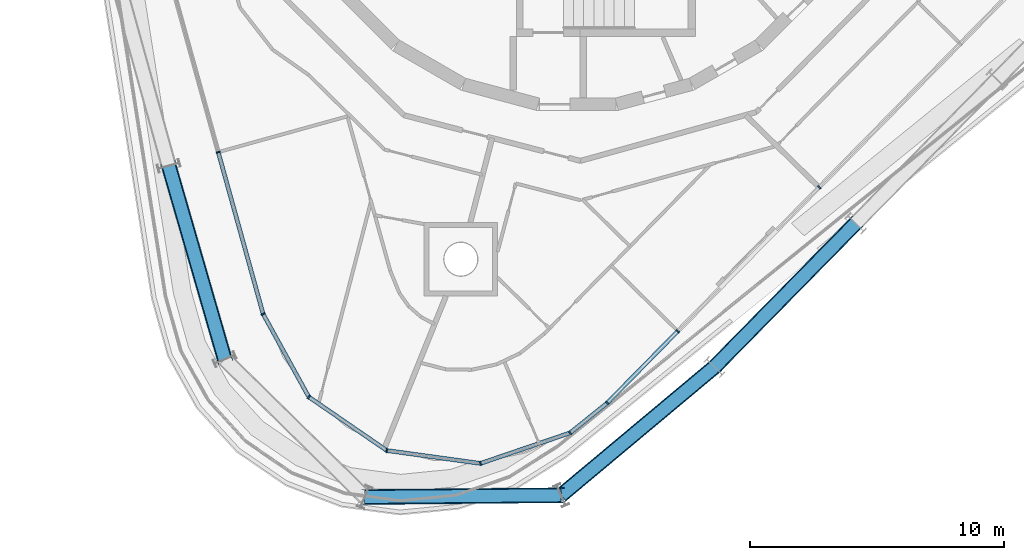
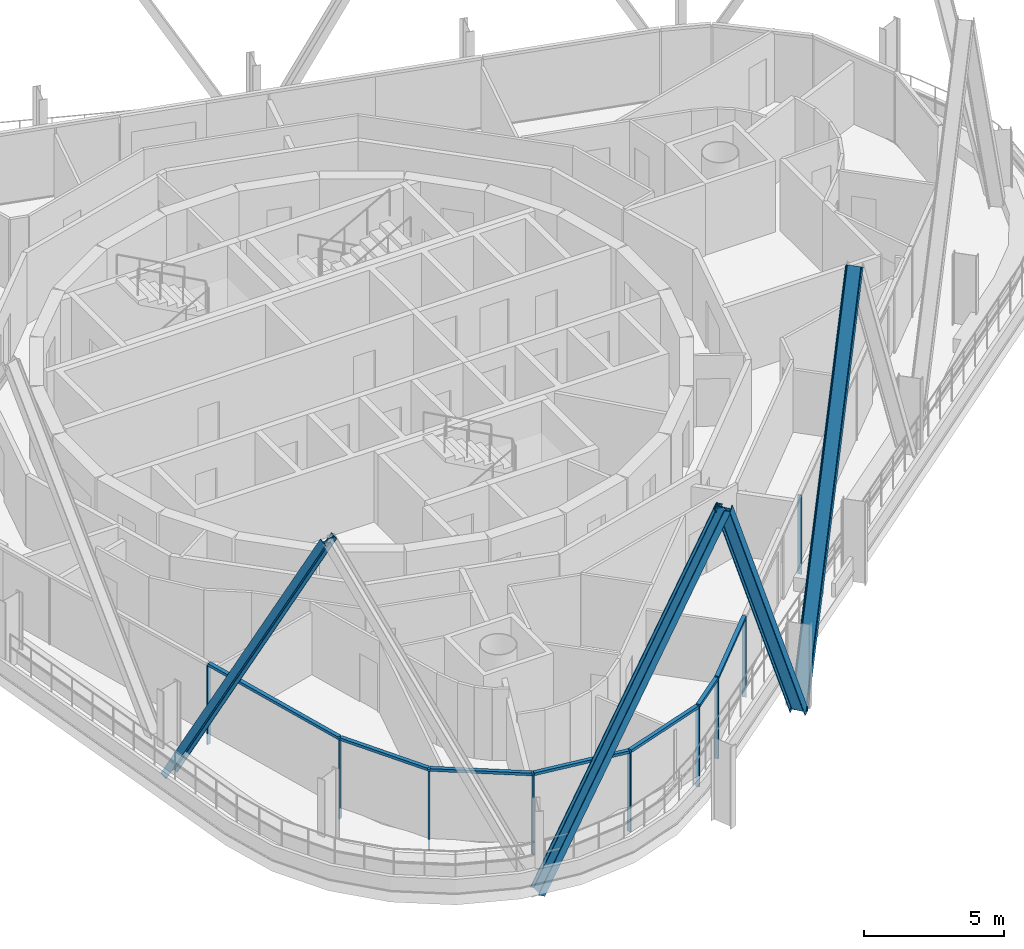
# One storey, part 2 of 18: 20 members, 2 elements without a shape of their own.
"""IFC4 building model written with IfcOpenShell, lengths in metres."""

from ifc_helpers import new_model, si_unit, direction, frame, origin, origin_2d, place, context, subcontext, project, spatial, rectangle, i_section, extrude, material, layer, layer_set, material_profile, profile_set, type_object, element, aggregate, save


model = new_model("IFC4")

# Units and contexts
model_context = context("Model", 3, precision=1e-05, world=origin(), true_north=direction((0.0, 1.0)))
body_context = subcontext(model_context, "Body", "Model", "MODEL_VIEW")
ifc_project = project(units=[si_unit("LENGTHUNIT", "METRE"), si_unit("AREAUNIT", "SQUARE_METRE"), si_unit("VOLUMEUNIT", "CUBIC_METRE"), si_unit("PLANEANGLEUNIT", "RADIAN"), si_unit("MASSUNIT", "GRAM", prefix="KILO")], contexts=[model_context])

# Site, building, storey
site_placement = place(None, origin())
site = spatial("IfcSite", under=ifc_project, at=site_placement, CompositionType="ELEMENT")
building_placement = place(site_placement, origin())
building = spatial("IfcBuilding", under=site, at=building_placement, Name="Spindle Arch Residences", CompositionType="ELEMENT")
storey_placement = place(building_placement, frame((0.0, 0.0, 298.199951171875)))
storey = spatial("IfcBuildingStorey", under=building, at=storey_placement, Name="L76", CompositionType="ELEMENT", Elevation=298.199951171875)

# Curtain wall, members
ifc_material_1 = material(Name="Aluminium bronze unitised frame with tinted glass", Category="aluminium")
ifc_layer_1 = layer(ifc_material_1, 0.159912109375)
ifc_layer_set_1 = layer_set([ifc_layer_1], Name="CW-D corner wall on the fillet arcs")
curtain_wall_type_1 = type_object("IfcCurtainWallType", Name="CW-D corner wall on the fillet arcs", PredefinedType="NOTDEFINED", material=ifc_layer_set_1)
curtain_wall_1_placement = place(storey_placement, origin())
curtain_wall_1 = element("IfcCurtainWall", 1, at=curtain_wall_1_placement, inside=storey, type_object=curtain_wall_type_1, Name="CW-D L76 run 5", PredefinedType="NOTDEFINED")
ifc_material_2 = material(Name="Aluminium bronze anodised mullion", Category="aluminium")
ifc_material_profile_1 = material_profile(ifc_material_2, rectangle(XDim=0.159912109375, YDim=0.06005859375, at=origin_2d()), Name="MU 60x160")
ifc_profile_set_1 = profile_set([ifc_material_profile_1], Name="Aluminium bronze anodised mullion")
member_type_1 = type_object("IfcMemberType", Name="Bronze mullion 60x160", PredefinedType="MULLION", material=ifc_profile_set_1)
member_1_placement = place(storey_placement, frame((-14.1435546875, -13.529296875, -0.449951171875), z_axis=(0.0, 0.0, 1.0), x_axis=(0.963630453209, 0.267238376078, 0.0)))
member_1 = element("IfcMember", 2, at=member_1_placement, type_object=member_type_1, Name="CW-D mullion 00", PredefinedType="MULLION", context=body_context, shape_type="SweptSolid", body=[
    extrude(rectangle(XDim=0.159912109375, YDim=0.06005859375, at=origin_2d()), origin(), (0.0, 0.0, 1.0), 3.449951171875),
])
member_2_placement = place(storey_placement, frame((-12.37548828125, -19.90478515625, -0.449951171875), z_axis=(0.0, 0.0, 1.0), x_axis=(0.876026260142, 0.482263404731, 0.0)))
member_2 = element("IfcMember", 3, at=member_2_placement, type_object=member_type_1, Name="CW-D mullion 01", PredefinedType="MULLION", context=body_context, shape_type="SweptSolid", body=[
    extrude(rectangle(XDim=0.159912109375, YDim=0.06005859375, at=origin_2d()), origin(), (0.0, 0.0, 1.0), 3.449951171875),
])
member_3_placement = place(storey_placement, frame((-10.578125, -23.16943359375, -0.449951171875), z_axis=(0.0, 0.0, 1.0), x_axis=(0.566406236997, 0.824126188573, 0.0)))
member_3 = element("IfcMember", 4, at=member_3_placement, type_object=member_type_1, Name="CW-D mullion 02", PredefinedType="MULLION", context=body_context, shape_type="SweptSolid", body=[
    extrude(rectangle(XDim=0.159912109375, YDim=0.06005859375, at=origin_2d()), origin(), (0.0, 0.0, 1.0), 3.449951171875),
])
member_4_placement = place(storey_placement, frame((-7.5068359375, -25.2802734375, -0.449951171875), z_axis=(0.0, 0.0, 1.0), x_axis=(0.136291936259, 0.99066871764, 0.0)))
member_4 = element("IfcMember", 5, at=member_4_placement, type_object=member_type_1, Name="CW-D mullion 03", PredefinedType="MULLION", context=body_context, shape_type="SweptSolid", body=[
    extrude(rectangle(XDim=0.159912109375, YDim=0.06005859375, at=origin_2d()), origin(), (0.0, 0.0, 1.0), 3.449951171875),
])
member_5_placement = place(storey_placement, frame((-3.81494140625, -25.788330078125, -0.449951171875), z_axis=(0.0, 0.0, 1.0), x_axis=(-0.322816381002, 0.946461612616, 0.0)))
member_5 = element("IfcMember", 6, at=member_5_placement, type_object=member_type_1, Name="CW-D mullion 04", PredefinedType="MULLION", context=body_context, shape_type="SweptSolid", body=[
    extrude(rectangle(XDim=0.159912109375, YDim=0.06005859375, at=origin_2d()), origin(), (0.0, 0.0, 1.0), 3.449951171875),
])
member_6_placement = place(storey_placement, frame((-0.28759765625, -24.585205078125, -0.449951171875), z_axis=(0.0, 0.0, 1.0), x_axis=(-0.627057102153, 0.778973292636, 0.0)))
member_6 = element("IfcMember", 7, at=member_6_placement, type_object=member_type_1, Name="CW-D mullion 05", PredefinedType="MULLION", context=body_context, shape_type="SweptSolid", body=[
    extrude(rectangle(XDim=0.159912109375, YDim=0.06005859375, at=origin_2d()), origin(), (0.0, 0.0, 1.0), 3.449951171875),
])
member_7_placement = place(storey_placement, frame((1.173828125, -23.40869140625, -0.449951171875), z_axis=(0.0, 0.0, 1.0), x_axis=(-0.713250449154, 0.7009092643, 0.0)))
member_7 = element("IfcMember", 8, at=member_7_placement, type_object=member_type_1, Name="CW-D mullion 06", PredefinedType="MULLION", context=body_context, shape_type="SweptSolid", body=[
    extrude(rectangle(XDim=0.159912109375, YDim=0.06005859375, at=origin_2d()), origin(), (0.0, 0.0, 1.0), 3.449951171875),
])

ifc_material_3 = material(Name="Aluminium bronze unitised frame with tinted glass", Category="aluminium")
ifc_layer_2 = layer(ifc_material_3, 0.159912109375)
ifc_layer_set_2 = layer_set([ifc_layer_2], Name="CW-C typical residential unitised wall")
curtain_wall_type_2 = type_object("IfcCurtainWallType", Name="CW-C typical residential unitised wall", PredefinedType="NOTDEFINED", material=ifc_layer_set_2)
curtain_wall_2_placement = place(storey_placement, origin())
curtain_wall_2 = element("IfcCurtainWall", 9, at=curtain_wall_2_placement, inside=storey, type_object=curtain_wall_type_2, Name="CW-C L76 run 6", PredefinedType="NOTDEFINED")
member_8_placement = place(storey_placement, frame((3.95703125, -20.576416015625, -0.449951171875), z_axis=(0.0, 0.0, 1.0), x_axis=(-0.713250449154, 0.7009092643, 0.0)))
member_8 = element("IfcMember", 10, at=member_8_placement, type_object=member_type_1, Name="CW-C mullion 18", PredefinedType="MULLION", context=body_context, shape_type="SweptSolid", body=[
    extrude(rectangle(XDim=0.159912109375, YDim=0.06005859375, at=origin_2d()), origin(), (0.0, 0.0, 1.0), 3.449951171875),
])
member_9_placement = place(storey_placement, frame((9.518798828125, -14.916748046875, -0.449951171875), z_axis=(0.0, 0.0, 1.0), x_axis=(-0.713250449154, 0.7009092643, 0.0)))
member_9 = element("IfcMember", 11, at=member_9_placement, type_object=member_type_1, Name="CW-C mullion 19", PredefinedType="MULLION", context=body_context, shape_type="SweptSolid", body=[
    extrude(rectangle(XDim=0.159912109375, YDim=0.06005859375, at=origin_2d()), origin(), (0.0, 0.0, 1.0), 3.449951171875),
])
aggregate(curtain_wall_2, [member_8, member_9])

# Member
ifc_material_4 = material(Name="Aluminium bronze anodised transom", Category="aluminium")
ifc_material_profile_2 = material_profile(ifc_material_4, rectangle(XDim=0.159912109375, YDim=0.1201171875, at=origin_2d()), Name="TR 120x160")
ifc_profile_set_2 = profile_set([ifc_material_profile_2], Name="Aluminium bronze anodised transom")
member_type_2 = type_object("IfcMemberType", Name="Bronze transom 120x160", PredefinedType="USERDEFINED", material=ifc_profile_set_2)
member_10_placement = place(storey_placement, frame((-14.135498046875, -13.558349609375, 3.06005859375), z_axis=(0.267236650425, -0.963630931773, 0.0), x_axis=(0.963630931773, 0.267236650425, 0.0)))
member_10 = element("IfcMember", 12, at=member_10_placement, type_object=member_type_2, Name="CW-D transom 00", ObjectType="TRANSOM", PredefinedType="USERDEFINED", context=body_context, shape_type="SweptSolid", body=[
    extrude(rectangle(XDim=0.159912109375, YDim=0.1201171875, at=origin_2d()), origin(), (0.0, 0.0, 1.0), 6.555908203125),
])

member_11_placement = place(storey_placement, frame((-12.36083984375, -19.930908203125, 3.06005859375), z_axis=(0.482258656, -0.87602887436, 0.0), x_axis=(0.87602887436, 0.482258656, 0.0)))
member_11 = element("IfcMember", 13, at=member_11_placement, type_object=member_type_2, Name="CW-D transom 01", ObjectType="TRANSOM", PredefinedType="USERDEFINED", context=body_context, shape_type="SweptSolid", body=[
    extrude(rectangle(XDim=0.159912109375, YDim=0.1201171875, at=origin_2d()), origin(), (0.0, 0.0, 1.0), 3.666748046875),
])

member_12_placement = place(storey_placement, frame((-10.553466796875, -23.1865234375, 3.06005859375), z_axis=(0.824162355163, -0.566353610682, 0.0), x_axis=(0.566353610682, 0.824162355163, 0.0)))
member_12 = element("IfcMember", 14, at=member_12_placement, type_object=member_type_2, Name="CW-D transom 02", ObjectType="TRANSOM", PredefinedType="USERDEFINED", context=body_context, shape_type="SweptSolid", body=[
    extrude(rectangle(XDim=0.159912109375, YDim=0.1201171875, at=origin_2d()), origin(), (0.0, 0.0, 1.0), 3.666748046875),
])

member_13_placement = place(storey_placement, frame((-7.47705078125, -25.284423828125, 3.06005859375), z_axis=(0.9906686165, -0.136292671414, 0.0), x_axis=(0.136292671414, 0.9906686165, 0.0)))
member_13 = element("IfcMember", 15, at=member_13_placement, type_object=member_type_2, Name="CW-D transom 03", ObjectType="TRANSOM", PredefinedType="USERDEFINED", context=body_context, shape_type="SweptSolid", body=[
    extrude(rectangle(XDim=0.159912109375, YDim=0.1201171875, at=origin_2d()), origin(), (0.0, 0.0, 1.0), 3.666748046875),
])

member_14_placement = place(storey_placement, frame((-3.786376953125, -25.778564453125, 3.06005859375), z_axis=(0.946449629286, 0.322851512656, 0.0), x_axis=(-0.322851512656, 0.946449629286, 0.0)))
member_14 = element("IfcMember", 16, at=member_14_placement, type_object=member_type_2, Name="CW-D transom 04", ObjectType="TRANSOM", PredefinedType="USERDEFINED", context=body_context, shape_type="SweptSolid", body=[
    extrude(rectangle(XDim=0.159912109375, YDim=0.1201171875, at=origin_2d()), origin(), (0.0, 0.0, 1.0), 3.666748046875),
])

member_15_placement = place(storey_placement, frame((-0.26416015625, -24.56640625, 3.06005859375), z_axis=(0.778910776855, 0.627134755614, 0.0), x_axis=(-0.627134755614, 0.778910776855, 0.0)))
member_15 = element("IfcMember", 17, at=member_15_placement, type_object=member_type_2, Name="CW-D transom 05", ObjectType="TRANSOM", PredefinedType="USERDEFINED", context=body_context, shape_type="SweptSolid", body=[
    extrude(rectangle(XDim=0.159912109375, YDim=0.1201171875, at=origin_2d()), origin(), (0.0, 0.0, 1.0), 1.816162109375),
])

member_16_placement = place(storey_placement, frame((1.19482421875, -23.387451171875, 3.06005859375), z_axis=(0.70089977121, 0.713259777863, 0.0), x_axis=(-0.713259777863, 0.70089977121, 0.0)))
member_16 = element("IfcMember", 18, at=member_16_placement, type_object=member_type_2, Name="CW-D transom 06", ObjectType="TRANSOM", PredefinedType="USERDEFINED", context=body_context, shape_type="SweptSolid", body=[
    extrude(rectangle(XDim=0.159912109375, YDim=0.1201171875, at=origin_2d()), origin(), (0.0, 0.0, 1.0), 3.910888671875),
])

aggregate(curtain_wall_1, [member_1, member_10, member_2, member_11, member_3, member_12, member_4, member_13, member_5, member_14, member_6, member_15, member_7, member_16])

# Members
ifc_material_5 = material(Name="Steel S460ML, intumescent coating R 240", Category="steel")
ifc_material_profile_3 = material_profile(ifc_material_5, i_section(OverallWidth=0.300048828125, OverallDepth=0.60009765625, WebThickness=0.015380859375, FlangeThickness=0.030029296875, FilletRadius=0.027099609375, at=origin_2d()), Name="HEB 600")
ifc_profile_set_3 = profile_set([ifc_material_profile_3], Name="Steel S460ML, intumescent coating R 240")
member_type_3 = type_object("IfcMemberType", Name="Diagrid diagonal HEB 600", PredefinedType="BRACE", material=ifc_profile_set_3)
member_17_placement = place(storey_placement, frame((-16.090087890625, -14.069091796875, -0.699951171875), z_axis=(0.136370908864, -0.471765953953, 0.871114148609), x_axis=(-0.24190455093, 0.836852464982, 0.491080584113)))
element("IfcMember", 19, at=member_17_placement, inside=storey, type_object=member_type_3, Name="Diagrid diagonal 8.1.15", PredefinedType="BRACE", context=body_context, shape_type="SweptSolid", body=[
    extrude(i_section(OverallWidth=0.300048828125, OverallDepth=0.60009765625, WebThickness=0.015380859375, FlangeThickness=0.030029296875, FilletRadius=0.027099609375, at=origin_2d()), origin(), (0.0, 0.0, 1.0), 16.15185546875),
])
member_18_placement = place(storey_placement, frame((-8.373291015625, -27.10986328125, -0.699951171875), z_axis=(0.481621929513, 0.004242628136, 0.876368824821), x_axis=(-0.876334824026, -0.007719670873, 0.481640615896)))
element("IfcMember", 20, at=member_18_placement, inside=storey, type_object=member_type_3, Name="Diagrid diagonal 8.1.17", PredefinedType="BRACE", context=body_context, shape_type="SweptSolid", body=[
    extrude(i_section(OverallWidth=0.300048828125, OverallDepth=0.60009765625, WebThickness=0.015380859375, FlangeThickness=0.030029296875, FilletRadius=0.027099609375, at=origin_2d()), origin(), (0.0, 0.0, 1.0), 16.054931640625),
])
member_19_placement = place(storey_placement, frame((5.397705078125, -21.9921875, -0.699951171875), z_axis=(-0.374547428737, -0.313203059294, 0.872707320512), x_axis=(0.669481793134, 0.55983229269, 0.488243722668)))
element("IfcMember", 21, at=member_19_placement, inside=storey, type_object=member_type_3, Name="Diagrid diagonal 8.1.18", PredefinedType="BRACE", context=body_context, shape_type="SweptSolid", body=[
    extrude(i_section(OverallWidth=0.300048828125, OverallDepth=0.60009765625, WebThickness=0.015380859375, FlangeThickness=0.030029296875, FilletRadius=0.027099609375, at=origin_2d()), origin(), (0.0, 0.0, 1.0), 16.122314453125),
])
member_20_placement = place(storey_placement, frame((5.397705078125, -21.9921875, -0.699951171875), z_axis=(0.344322998306, 0.350368525447, 0.871024436634), x_axis=(-0.610524257547, -0.621243672129, 0.491239687715)))
element("IfcMember", 22, at=member_20_placement, inside=storey, type_object=member_type_3, Name="Diagrid diagonal 8.1.19", PredefinedType="BRACE", context=body_context, shape_type="SweptSolid", body=[
    extrude(i_section(OverallWidth=0.300048828125, OverallDepth=0.60009765625, WebThickness=0.015380859375, FlangeThickness=0.030029296875, FilletRadius=0.027099609375, at=origin_2d()), origin(), (0.0, 0.0, 1.0), 16.153564453125),
])

save(model, "model.ifc")
